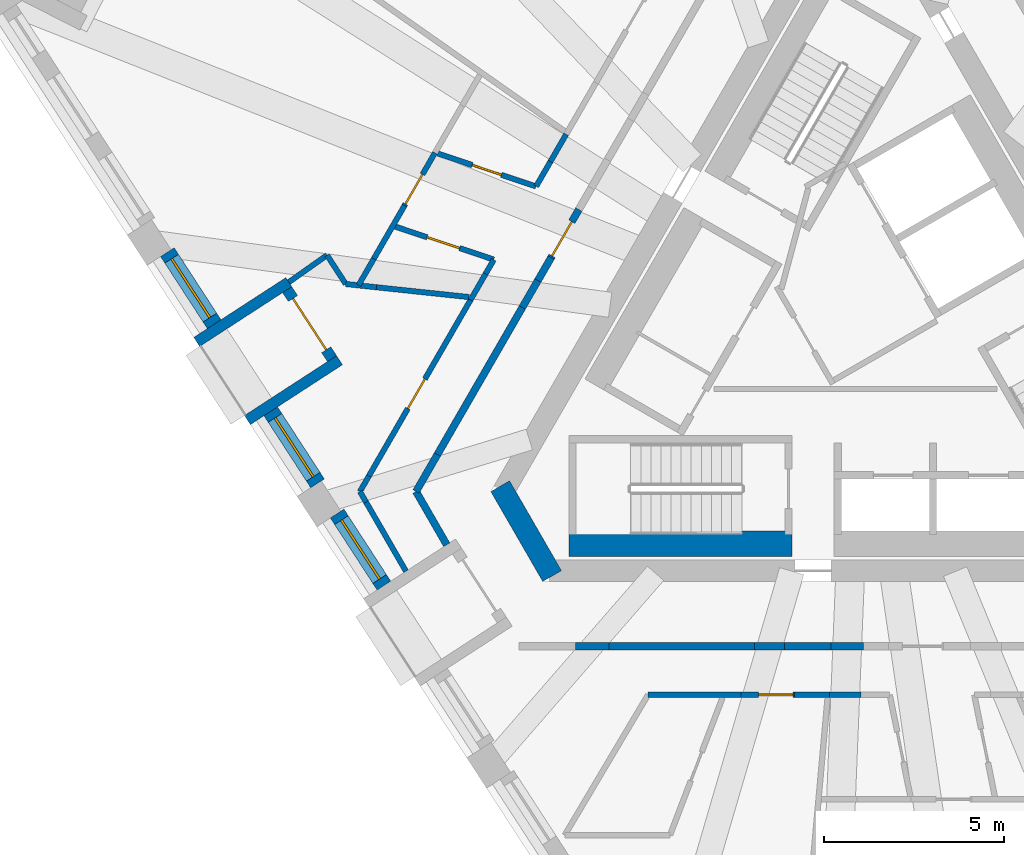
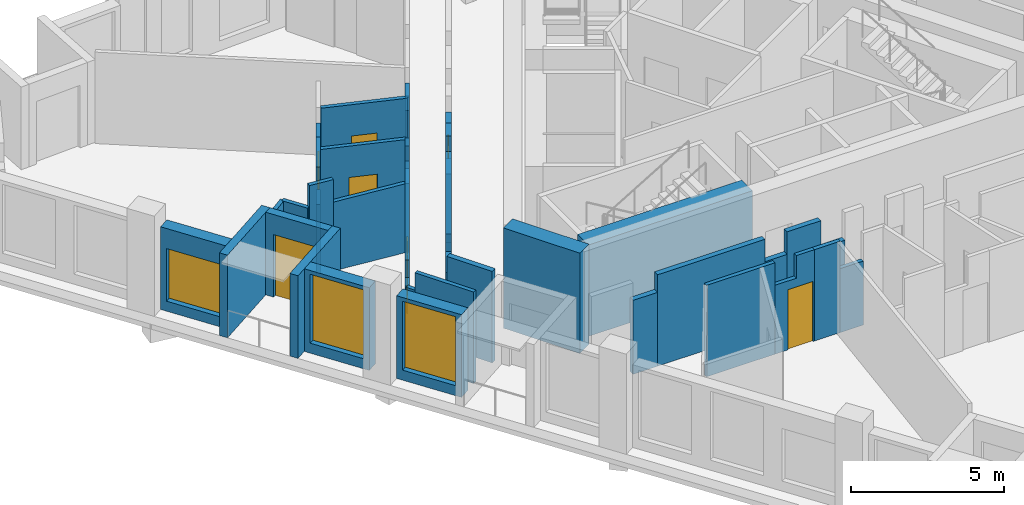
# One storey, part 3 of 13: 40 walls, 7 doors, 3 windows, 10 openings.
"""IFC4 building model written with IfcOpenShell, lengths in metres."""

import ifcopenshell
import ifcopenshell.guid

model = None  # the IFC model being written
_history = None  # IfcOwnerHistory: only IFC2X3 demands one
_inside = {}  # id of a spatial element -> (the spatial element, [elements in it])
_under = {}  # id of a project, library or spatial element -> (it, [spatial elements below it])
_declared = {}  # id of a project -> (the project, [libraries it declares])
_typed = {}  # id of a type object -> (the type object, [elements of that type])
_made_of = {}  # id of a material, layer set ... -> (it, [elements and type objects made of it])


def new_model(schema):
    """Start an empty IFC model of exactly this schema.

    Asked for "IFC4X3", IfcOpenShell would pick the latest addendum, in which some entities
    have other attributes; the version numbers below select the first issue.
    IFC2X3 requires an IfcOwnerHistory on every rooted entity: one is made here for all.
    """
    global model, _history
    if schema == "IFC4X3":
        model = ifcopenshell.file(schema_version=(4, 3, 0, 0))
    else:
        model = ifcopenshell.file(schema=schema)
    _inside.clear()
    _under.clear()
    _declared.clear()
    _typed.clear()
    _made_of.clear()
    _history = None
    if model.schema == "IFC2X3":
        org = make("IfcOrganization", Name="unknown")
        user = make(
            "IfcPersonAndOrganization",
            ThePerson=make("IfcPerson", FamilyName="unknown"),
            TheOrganization=org,
        )
        app = make(
            "IfcApplication",
            ApplicationDeveloper=org,
            Version="unknown",
            ApplicationFullName="unknown",
            ApplicationIdentifier="unknown",
        )
        _history = make(
            "IfcOwnerHistory",
            OwningUser=user,
            OwningApplication=app,
            ChangeAction="ADDED",
            CreationDate=0,
        )
    return model


def make(cls, **values):
    """One entity of the class cls with the attributes given. An attribute that is None is left unset."""
    return model.create_entity(
        cls, **{name: value for name, value in values.items() if value is not None}
    )


def rooted(cls, **values):
    """An entity with a GlobalId (a new one), such as an element, a storey or a relation."""
    return make(cls, GlobalId=ifcopenshell.guid.new(), OwnerHistory=_history, **values)


def si_unit(unit_type, name, prefix=None):
    """IfcSIUnit, for example si_unit("LENGTHUNIT", "METRE", prefix="MILLI")."""
    return make("IfcSIUnit", UnitType=unit_type, Prefix=prefix, Name=name)


def assignment(units):
    """IfcUnitAssignment: the units of a project."""
    return None if units is None else make("IfcUnitAssignment", Units=units)


def point(xyz):
    """IfcCartesianPoint."""
    return None if xyz is None else make("IfcCartesianPoint", Coordinates=xyz)


def direction(xyz):
    """IfcDirection."""
    return None if xyz is None else make("IfcDirection", DirectionRatios=xyz)


def frame(location, z_axis=None, x_axis=None):
    """IfcAxis2Placement3D, a coordinate frame: its origin and axes. An axis left out is left unset."""
    return make(
        "IfcAxis2Placement3D",
        Location=point(location),
        Axis=direction(z_axis),
        RefDirection=direction(x_axis),
    )


def frame_2d(location, x_axis=None):
    """IfcAxis2Placement2D, a coordinate frame in the plane: its origin and x axis."""
    return make(
        "IfcAxis2Placement2D", Location=point(location), RefDirection=direction(x_axis)
    )


def origin():
    """The frame at (0, 0, 0) with its axes left unset."""
    return frame((0.0, 0.0, 0.0))


def place(relative_to, where):
    """IfcLocalPlacement: puts the frame where relative to a parent placement (None: the world)."""
    return make(
        "IfcLocalPlacement", PlacementRelTo=relative_to, RelativePlacement=where
    )


def context(
    kind, dimensions, precision=None, world=None, true_north=None, identifier=None
):
    """IfcGeometricRepresentationContext, for example the 3D "Model" context."""
    return make(
        "IfcGeometricRepresentationContext",
        ContextIdentifier=identifier,
        ContextType=kind,
        CoordinateSpaceDimension=dimensions,
        Precision=precision,
        WorldCoordinateSystem=world,
        TrueNorth=true_north,
    )


def subcontext(parent, identifier, kind, view, scale=None):
    """IfcGeometricRepresentationSubContext, for example "Body" below "Model"."""
    return make(
        "IfcGeometricRepresentationSubContext",
        ContextIdentifier=identifier,
        ContextType=kind,
        ParentContext=parent,
        TargetScale=scale,
        TargetView=view,
    )


def project(units=None, contexts=None):
    """IfcProject with its units and contexts."""
    return rooted(
        "IfcProject",
        Name="project",
        RepresentationContexts=contexts,
        UnitsInContext=assignment(units),
    )


def spatial(cls, under=None, at=None, **own):
    """A site, building, storey or space (cls), placed at a placement, below another one or the project."""
    s = rooted(cls, ObjectPlacement=at, **own)
    if under is not None:
        _under.setdefault(under.id(), (under, []))[1].append(s)
    return s


def polyline(points):
    """IfcPolyline through the points."""
    return make("IfcPolyline", Points=[point(p) for p in points])


def profile(cls, at=None, kind="AREA", **sizes):
    """A parametric profile (cls). Its sizes go by their IFC names, for example OverallWidth=200.0."""
    return make(cls, ProfileType=kind, Position=at, **sizes)


def rectangle(**sizes):
    """IfcRectangleProfileDef."""
    return profile("IfcRectangleProfileDef", **sizes)


def outline(outer, holes=None, kind="AREA"):
    """IfcArbitraryClosedProfileDef: a profile drawn as a closed curve; with holes, ...WithVoids."""
    if holes is None:
        return make("IfcArbitraryClosedProfileDef", ProfileType=kind, OuterCurve=outer)
    return make(
        "IfcArbitraryProfileDefWithVoids",
        ProfileType=kind,
        OuterCurve=outer,
        InnerCurves=holes,
    )


def extrude(swept, where, along, depth):
    """IfcExtrudedAreaSolid: the profile swept, set in the frame where, extruded along a direction by depth."""
    return make(
        "IfcExtrudedAreaSolid",
        SweptArea=swept,
        Position=where,
        ExtrudedDirection=direction(along),
        Depth=depth,
    )


def shape(context_of_items, identifier, shape_type, items):
    """IfcShapeRepresentation: the items that make up one representation, for example the "Body"."""
    return make(
        "IfcShapeRepresentation",
        ContextOfItems=context_of_items,
        RepresentationIdentifier=identifier,
        RepresentationType=shape_type,
        Items=items,
    )


def material(Name=None, Category=None):
    """IfcMaterial."""
    return make("IfcMaterial", Name=Name, Category=Category)


def layer(
    of_material, thickness, ventilated=None, Name=None, Category=None, Priority=None
):
    """IfcMaterialLayer: one layer of a wall or slab, of a material (None: an air gap)."""
    return make(
        "IfcMaterialLayer",
        Material=of_material,
        LayerThickness=thickness,
        IsVentilated=ventilated,
        Name=Name,
        Category=Category,
        Priority=Priority,
    )


def layer_set(layers, Name=None):
    """IfcMaterialLayerSet."""
    return make("IfcMaterialLayerSet", MaterialLayers=layers, LayerSetName=Name)


def made_of(thing, what):
    """Note that an element or type object is made of a material, layer set ...; save() writes the relation."""
    if what is not None:
        _made_of.setdefault(what.id(), (what, []))[1].append(thing)
    return thing


def type_object(cls, material=None, **own):
    """A type object (cls), such as IfcWallType, which elements share."""
    return made_of(rooted(cls, **own), material)


def element(
    cls,
    number,
    at=None,
    inside=None,
    cuts=None,
    type_object=None,
    material=None,
    context=None,
    identifier="Body",
    shape_type=None,
    held_by="IfcProductDefinitionShape",
    body=None,
    shapes=None,
    **own,
):
    """One element of the class cls, such as IfcWall. Its Tag is "e" and its number.

    at: its placement. inside: the storey or other place that contains it. cuts: it is an
    opening in that element (IfcRelVoidsElement). A single representation is given by context,
    identifier, shape_type and body (its items); several are given by shapes. held_by: the class
    of the entity that holds the representations. save() writes the other relations.
    """
    e = rooted(cls, Tag="e%d" % number, ObjectPlacement=at, **own)
    if body is not None:
        shapes = [shape(context, identifier, shape_type, body)]
    if shapes is not None:
        e.Representation = make(held_by, Representations=shapes)
    if inside is not None:
        _inside.setdefault(inside.id(), (inside, []))[1].append(e)
    if cuts is not None:
        rooted(
            "IfcRelVoidsElement", RelatingBuildingElement=cuts, RelatedOpeningElement=e
        )
    if type_object is not None:
        _typed.setdefault(type_object.id(), (type_object, []))[1].append(e)
    return made_of(e, material)


def fill(opening, filler):
    """IfcRelFillsElement: the door or window that sits in an opening."""
    return rooted(
        "IfcRelFillsElement",
        RelatingOpeningElement=opening,
        RelatedBuildingElement=filler,
    )


def aggregate(whole, parts):
    """IfcRelAggregates: a whole, such as a stair, and the parts it consists of."""
    return rooted("IfcRelAggregates", RelatingObject=whole, RelatedObjects=parts)


def save(model, path):
    """Write the relations noted so far, then the file.

    IfcRelAggregates (storeys below a building ...), IfcRelContainedInSpatialStructure (elements
    in a storey), IfcRelDefinesByType, IfcRelAssociatesMaterial and IfcRelDeclares: one each for
    every whole, place, type object, material and project.
    """
    for whole, parts in _under.values():
        aggregate(whole, parts)
    for where, things in _inside.values():
        rooted(
            "IfcRelContainedInSpatialStructure",
            RelatedElements=things,
            RelatingStructure=where,
        )
    for kind, things in _typed.values():
        rooted("IfcRelDefinesByType", RelatedObjects=things, RelatingType=kind)
    for what, things in _made_of.values():
        rooted("IfcRelAssociatesMaterial", RelatedObjects=things, RelatingMaterial=what)
    for by, libraries in _declared.values():
        rooted("IfcRelDeclares", RelatingContext=by, RelatedDefinitions=libraries)
    model.write(path)


model = new_model("IFC4")

# Units and contexts
model_context = context("Model", 3, precision=1e-05, world=origin(), true_north=direction((0.0, 1.0)))
body_context = subcontext(model_context, "Body", "Model", "MODEL_VIEW")
ifc_project = project(units=[si_unit("LENGTHUNIT", "METRE"), si_unit("AREAUNIT", "SQUARE_METRE"), si_unit("VOLUMEUNIT", "CUBIC_METRE"), si_unit("PLANEANGLEUNIT", "RADIAN"), si_unit("MASSUNIT", "GRAM", prefix="KILO")], contexts=[model_context])

# Site, building, storey
site_placement = place(None, origin())
site = spatial("IfcSite", under=ifc_project, at=site_placement, CompositionType="ELEMENT")
building_placement = place(site_placement, origin())
building = spatial("IfcBuilding", under=site, at=building_placement, Name="Tramontana Tower", CompositionType="ELEMENT")
storey_placement = place(building_placement, frame((0.0, 0.0, 294.39990234375)))
storey = spatial("IfcBuildingStorey", under=building, at=storey_placement, Name="L69", CompositionType="ELEMENT", Elevation=294.39990234375)

# Walls
ifc_material_1 = material(Name="Concrete 70 MPa", Category="concrete")
ifc_layer_1 = layer(ifc_material_1, 0.60009765625)
ifc_layer_set_1 = layer_set([ifc_layer_1], Name="Core wall 600 70 MPa")
wall_type_1 = type_object("IfcWallType", Name="Core wall 600 70 MPa", PredefinedType="SHEAR", material=ifc_layer_set_1)
wall_1_placement = place(storey_placement, frame((-9.98828125, -4.10009765625, 0.0), z_axis=(0.0, 0.0, 1.0), x_axis=(0.499995765644, -0.866027848477, 0.0)))
element("IfcWall", 1, at=wall_1_placement, inside=storey, type_object=wall_type_1, Name="Core wall C2 L69", PredefinedType="SHEAR", context=body_context, shape_type="SweptSolid", body=[
    extrude(rectangle(XDim=2.88671875, YDim=0.60009765625, at=frame_2d((1.443359375, 0.0))), origin(), (0.0, 0.0, 1.0), 4.0),
])
ifc_material_2 = material(Name="Blockwork", Category="masonry")
ifc_layer_2 = layer(ifc_material_2, 0.199951171875)
ifc_layer_set_2 = layer_set([ifc_layer_2], Name="ENTRY WALL 200")
wall_type_2 = type_object("IfcWallType", Name="ENTRY WALL 200", PredefinedType="SOLIDWALL", material=ifc_layer_set_2)
wall_2_placement = place(storey_placement, frame((0.104248046875, -8.550048828125, 0.0), z_axis=(0.0, 0.0, 1.0), x_axis=(-1.0, 0.0, 0.0)))
element("IfcWall", 2, at=wall_2_placement, inside=storey, type_object=wall_type_2, Name="Wall v71-ew1-6", PredefinedType="SOLIDWALL", context=body_context, shape_type="SweptSolid", body=[
    extrude(rectangle(XDim=0.900634765625, YDim=0.199951171875, at=frame_2d((0.4501953125, 0.0))), origin(), (0.0, 0.0, 1.0), 2.550048828125),
])
wall_3_placement = place(storey_placement, frame((-0.79638671875, -8.550048828125, 0.0), z_axis=(0.0, 0.0, 1.0), x_axis=(-1.0, 0.0, 0.0)))
element("IfcWall", 3, at=wall_3_placement, inside=storey, type_object=wall_type_2, Name="Wall v71-ew1-7", PredefinedType="SOLIDWALL", context=body_context, shape_type="SweptSolid", body=[
    extrude(rectangle(XDim=1.2861328125, YDim=0.199951171875, at=frame_2d((0.64306640625, 0.0))), origin(), (0.0, 0.0, 1.0), 3.650146484375),
])
wall_4_placement = place(storey_placement, frame((-2.08251953125, -8.550048828125, 0.0), z_axis=(0.0, 0.0, 1.0), x_axis=(-1.0, 0.0, 0.0)))
element("IfcWall", 4, at=wall_4_placement, inside=storey, type_object=wall_type_2, Name="Wall v71-ew1-8", PredefinedType="SOLIDWALL", context=body_context, shape_type="SweptSolid", body=[
    extrude(rectangle(XDim=0.83349609375, YDim=0.199951171875, at=frame_2d((0.416748046875, 0.0))), origin(), (0.0, 0.0, 1.0), 2.75),
])
wall_5_placement = place(storey_placement, frame((-2.916015625, -8.550048828125, 0.0), z_axis=(0.0, 0.0, 1.0), x_axis=(-1.0, 0.0, 0.0)))
element("IfcWall", 5, at=wall_5_placement, inside=storey, type_object=wall_type_2, Name="Wall v71-ew1-9", PredefinedType="SOLIDWALL", context=body_context, shape_type="SweptSolid", body=[
    extrude(rectangle(XDim=4.052490234375, YDim=0.199951171875, at=frame_2d((2.0263671875, 0.0))), origin(), (0.0, 0.0, 1.0), 3.650146484375),
])
wall_6_placement = place(storey_placement, frame((-6.968505859375, -8.550048828125, 0.0), z_axis=(0.0, 0.0, 1.0), x_axis=(-1.0, 0.0, 0.0)))
element("IfcWall", 6, at=wall_6_placement, inside=storey, type_object=wall_type_2, Name="Wall v71-ew1-10", PredefinedType="SOLIDWALL", context=body_context, shape_type="SweptSolid", body=[
    extrude(rectangle(XDim=0.927490234375, YDim=0.199951171875, at=frame_2d((0.4638671875, 0.0))), origin(), (0.0, 0.0, 1.0), 2.9501953125),
])
wall_7_placement = place(storey_placement, frame((-11.472412109375, -5.729248046875, 0.0), z_axis=(0.0, 0.0, 1.0), x_axis=(-0.499982281718, 0.866035633198, 0.0)))
element("IfcWall", 7, at=wall_7_placement, inside=storey, type_object=wall_type_2, Name="Wall v71-ew2", PredefinedType="SOLIDWALL", context=body_context, shape_type="SweptSolid", body=[
    extrude(rectangle(XDim=1.7080078125, YDim=0.199951171875, at=frame_2d((0.85400390625, 0.0))), origin(), (0.0, 0.0, 1.0), 3.650146484375),
])
wall_8_placement = place(storey_placement, frame((-12.326416015625, -4.25, 0.0), z_axis=(0.0, 0.0, 1.0), x_axis=(0.499983247966, 0.86603507536, 0.0)))
element("IfcWall", 8, at=wall_8_placement, inside=storey, type_object=wall_type_2, Name="Wall v71-ew3-0", PredefinedType="SOLIDWALL", context=body_context, shape_type="SweptSolid", body=[
    extrude(rectangle(XDim=1.1884765625, YDim=0.199951171875, at=frame_2d((0.59423828125, 0.0))), origin(), (0.0, 0.0, 1.0), 2.9501953125),
])
wall_9_placement = place(storey_placement, frame((-11.732177734375, -3.220703125, 0.0), z_axis=(0.0, 0.0, 1.0), x_axis=(0.500007683529, 0.866020967652, 0.0)))
element("IfcWall", 9, at=wall_9_placement, inside=storey, type_object=wall_type_2, Name="Wall v71-ew3-1", PredefinedType="SOLIDWALL", context=body_context, shape_type="SweptSolid", body=[
    extrude(rectangle(XDim=4.71728515625, YDim=0.199951171875, at=frame_2d((2.358642578125, 0.0))), origin(), (0.0, 0.0, 1.0), 3.650146484375),
])
wall_10_placement = place(storey_placement, frame((-9.37353515625, 0.864501953125, 0.0), z_axis=(0.0, 0.0, 1.0), x_axis=(0.500056482814, 0.86599279096, 0.0)))
element("IfcWall", 10, at=wall_10_placement, inside=storey, type_object=wall_type_2, Name="Wall v71-ew3-2", PredefinedType="SOLIDWALL", context=body_context, shape_type="SweptSolid", body=[
    extrude(rectangle(XDim=0.86474609375, YDim=0.199951171875, at=frame_2d((0.432373046875, 0.0))), origin(), (0.0, 0.0, 1.0), 2.75),
])
wall_11_placement = place(storey_placement, frame((-8.941162109375, 1.61328125, 0.0), z_axis=(0.0, 0.0, 1.0), x_axis=(0.499875190247, 0.866097450739, 0.0)))
element("IfcWall", 11, at=wall_11_placement, inside=storey, type_object=wall_type_2, Name="Wall v71-ew3-3", PredefinedType="SOLIDWALL", context=body_context, shape_type="SweptSolid", body=[
    extrude(rectangle(XDim=0.738037109375, YDim=0.199951171875, at=frame_2d((0.369140625, 0.0))), origin(), (0.0, 0.0, 1.0), 3.650146484375),
])

# Wall, opening, door
wall_12_placement = place(storey_placement, frame((-8.572265625, 2.25244140625, 0.0), z_axis=(0.0, 0.0, 1.0), x_axis=(0.499992328818, 0.866029832698, 0.0)))
wall_12 = element("IfcWall", 12, at=wall_12_placement, inside=storey, type_object=wall_type_2, Name="Wall v71-ew3-4", PredefinedType="SOLIDWALL", context=body_context, shape_type="SweptSolid", body=[
    extrude(outline(polyline([(0.0, 0.0), (1.5400390625, 0.0), (1.5400390625, 2.550048828125), (0.63037109375, 2.550048828125), (0.63037109375, 3.650146484375), (0.0, 3.650146484375), (0.0, 0.0)])), frame((0.0, 0.10009765625, 0.0), z_axis=(0.0, -1.0, 0.0), x_axis=(1.0, 0.0, 0.0)), (0.0, 0.0, 1.0), 0.199951171875),
])
opening_1_placement = place(wall_12_placement, frame((0.050048828125, 0.0, 0.0)))
opening_1 = element("IfcOpeningElement", 13, at=opening_1_placement, cuts=wall_12, Name="Opening B7B-20", PredefinedType="OPENING", context=body_context, shape_type="SweptSolid", body=[
    extrude(rectangle(XDim=1.10009765625, YDim=2.39990234375, at=frame_2d((0.550048828125, 1.199951171875))), frame((0.0, 0.10986328125, 0.0), z_axis=(0.0, -1.0, 0.0), x_axis=(1.0, 0.0, 0.0)), (0.0, 0.0, 1.0), 0.219970703125),
])
ifc_material_3 = material(Name="Painted timber", Category="wood")
door_type_1 = type_object("IfcDoorType", Name="DOOR ENTRY 1100", OperationType="SINGLE_SWING_LEFT", PredefinedType="DOOR", material=ifc_material_3)
door_1_placement = place(opening_1_placement, origin())
door_1 = element("IfcDoor", 14, at=door_1_placement, inside=storey, type_object=door_type_1, Name="Door B7B-20", OperationType="SINGLE_SWING_RIGHT", OverallHeight=2.39990234375, OverallWidth=1.10009765625, PredefinedType="DOOR", context=body_context, shape_type="SweptSolid", body=[
    extrude(rectangle(XDim=1.10009765625, YDim=2.39990234375, at=frame_2d((0.550048828125, 1.199951171875))), frame((0.0, 0.02490234375, 0.0), z_axis=(0.0, -1.0, 0.0), x_axis=(1.0, 0.0, 0.0)), (0.0, 0.0, 1.0), 0.050048828125),
])
fill(opening_1, door_1)

# Wall, opening, window
ifc_material_4 = material(Name="Precast concrete 60 MPa", Category="concrete")
ifc_layer_3 = layer(ifc_material_4, 0.449951171875)
ifc_layer_set_3 = layer_set([ifc_layer_3], Name="Precast concrete 60 MPa, 450 mm")
wall_type_3 = type_object("IfcWallType", Name="EW1 Stone-faced precast wall 450", PredefinedType="SOLIDWALL", material=ifc_layer_set_3)
wall_13_placement = place(storey_placement, frame((-19.236083984375, 2.401123046875, 0.0), z_axis=(0.0, 0.0, 1.0), x_axis=(0.544675520966, -0.838646872563, 0.0)))
wall_13 = element("IfcWall", 15, at=wall_13_placement, inside=storey, type_object=wall_type_3, Name="External wall L69 face 0 bay 2", PredefinedType="SOLIDWALL", context=body_context, shape_type="SweptSolid", body=[
    extrude(rectangle(XDim=2.38671875, YDim=0.449951171875, at=frame_2d((1.193359375, 0.0))), origin(), (0.0, 0.0, 1.0), 3.300048828125),
])
opening_2_placement = place(wall_13_placement, frame((0.21826171875, 0.0, 0.39990234375)))
opening_2 = element("IfcOpeningElement", 16, at=opening_2_placement, cuts=wall_13, Name="Opening M3L", PredefinedType="OPENING", context=body_context, shape_type="SweptSolid", body=[
    extrude(rectangle(XDim=1.949951171875, YDim=2.10009765625, at=frame_2d((0.97509765625, 1.050048828125))), frame((0.0, 0.23486328125, 0.0), z_axis=(0.0, -1.0, 0.0), x_axis=(1.0, 0.0, 0.0)), (0.0, 0.0, 1.0), 0.469970703125),
])
ifc_material_5 = material(Name="Aluminum frame, double glazing unit", Category="aluminium")
window_type_1 = type_object("IfcWindowType", Name="M3L Window 1.95 x 2.1", PartitioningType="SINGLE_PANEL", PredefinedType="WINDOW", material=ifc_material_5)
window_1_placement = place(opening_2_placement, origin())
window_1 = element("IfcWindow", 17, at=window_1_placement, inside=storey, type_object=window_type_1, Name="Window M3L L69 face 0 module 4", OverallHeight=2.10009765625, OverallWidth=1.949951171875, PartitioningType="SINGLE_PANEL", PredefinedType="WINDOW", context=body_context, shape_type="SweptSolid", body=[
    extrude(rectangle(XDim=1.949951171875, YDim=2.10009765625, at=frame_2d((0.97509765625, 1.050048828125))), frame((0.0, 0.030029296875, 0.0), z_axis=(0.0, -1.0, 0.0), x_axis=(1.0, 0.0, 0.0)), (0.0, 0.0, 1.0), 0.06005859375),
])
fill(opening_2, window_1)

wall_14_placement = place(storey_placement, frame((-16.36376953125, -2.021728515625, 0.0), z_axis=(0.0, 0.0, 1.0), x_axis=(0.544603573947, -0.838693595566, 0.0)))
wall_14 = element("IfcWall", 18, at=wall_14_placement, inside=storey, type_object=wall_type_3, Name="External wall L69 face 0 bay 2", PredefinedType="SOLIDWALL", context=body_context, shape_type="SweptSolid", body=[
    extrude(rectangle(XDim=2.38671875, YDim=0.449951171875, at=frame_2d((1.193359375, 0.0))), origin(), (0.0, 0.0, 1.0), 3.300048828125),
])
opening_3_placement = place(wall_14_placement, frame((0.21826171875, 0.0, 0.39990234375)))
opening_3 = element("IfcOpeningElement", 19, at=opening_3_placement, cuts=wall_14, Name="Opening M3", PredefinedType="OPENING", context=body_context, shape_type="SweptSolid", body=[
    extrude(rectangle(XDim=1.949951171875, YDim=2.75, at=frame_2d((0.97509765625, 1.375))), frame((0.0, 0.23486328125, 0.0), z_axis=(0.0, -1.0, 0.0), x_axis=(1.0, 0.0, 0.0)), (0.0, 0.0, 1.0), 0.469970703125),
])
ifc_material_6 = material(Name="Aluminum frame, double glazing unit", Category="aluminium")
window_type_2 = type_object("IfcWindowType", Name="M3 Window 1.95 x 2.75", PartitioningType="SINGLE_PANEL", PredefinedType="WINDOW", material=ifc_material_6)
window_2_placement = place(opening_3_placement, origin())
window_2 = element("IfcWindow", 20, at=window_2_placement, inside=storey, type_object=window_type_2, Name="Window M3 L69 face 0 module 6", OverallHeight=2.75, OverallWidth=1.949951171875, PartitioningType="SINGLE_PANEL", PredefinedType="WINDOW", context=body_context, shape_type="SweptSolid", body=[
    extrude(rectangle(XDim=1.949951171875, YDim=2.75, at=frame_2d((0.97509765625, 1.375))), frame((0.0, 0.030029296875, 0.0), z_axis=(0.0, -1.0, 0.0), x_axis=(1.0, 0.0, 0.0)), (0.0, 0.0, 1.0), 0.06005859375),
])
fill(opening_3, window_2)

wall_15_placement = place(storey_placement, frame((-14.519287109375, -4.862060546875, 0.0), z_axis=(0.0, 0.0, 1.0), x_axis=(0.544603573947, -0.838693595566, 0.0)))
wall_15 = element("IfcWall", 21, at=wall_15_placement, inside=storey, type_object=wall_type_3, Name="External wall L69 face 0 bay 3", PredefinedType="SOLIDWALL", context=body_context, shape_type="SweptSolid", body=[
    extrude(rectangle(XDim=2.38671875, YDim=0.449951171875, at=frame_2d((1.193359375, 0.0))), origin(), (0.0, 0.0, 1.0), 3.300048828125),
])
opening_4_placement = place(wall_15_placement, frame((0.21826171875, 0.0, 0.39990234375)))
opening_4 = element("IfcOpeningElement", 22, at=opening_4_placement, cuts=wall_15, Name="Opening M3", PredefinedType="OPENING", context=body_context, shape_type="SweptSolid", body=[
    extrude(rectangle(XDim=1.949951171875, YDim=2.75, at=frame_2d((0.97509765625, 1.375))), frame((0.0, 0.23486328125, 0.0), z_axis=(0.0, -1.0, 0.0), x_axis=(1.0, 0.0, 0.0)), (0.0, 0.0, 1.0), 0.469970703125),
])
window_3_placement = place(opening_4_placement, origin())
window_3 = element("IfcWindow", 23, at=window_3_placement, inside=storey, type_object=window_type_2, Name="Window M3 L69 face 0 module 7", OverallHeight=2.75, OverallWidth=1.949951171875, PartitioningType="SINGLE_PANEL", PredefinedType="WINDOW", context=body_context, shape_type="SweptSolid", body=[
    extrude(rectangle(XDim=1.949951171875, YDim=2.75, at=frame_2d((0.97509765625, 1.375))), frame((0.0, 0.030029296875, 0.0), z_axis=(0.0, -1.0, 0.0), x_axis=(1.0, 0.0, 0.0)), (0.0, 0.0, 1.0), 0.06005859375),
])
fill(opening_4, window_3)

# Wall, opening, door
ifc_material_7 = material(Name="Precast concrete 60 MPa", Category="concrete")
ifc_layer_4 = layer(ifc_material_7, 0.300048828125)
ifc_layer_set_4 = layer_set([ifc_layer_4], Name="LW1 Stone-faced loggia wall 300")
wall_type_4 = type_object("IfcWallType", Name="LW1 Stone-faced loggia wall 300", PredefinedType="SOLIDWALL", material=ifc_layer_set_4)
wall_16_placement = place(storey_placement, frame((-15.90673828125, 1.359619140625, 0.0), z_axis=(0.0, 0.0, 1.0), x_axis=(0.544658103125, -0.838658184662, 0.0)))
wall_16 = element("IfcWall", 24, at=wall_16_placement, inside=storey, type_object=wall_type_4, Name="Loggia wall L69 G7S0.4", PredefinedType="SOLIDWALL", context=body_context, shape_type="SweptSolid", body=[
    extrude(rectangle(XDim=2.286865234375, YDim=0.300048828125, at=frame_2d((1.1435546875, 0.0))), origin(), (0.0, 0.0, 1.0), 3.300048828125),
])
opening_5_placement = place(wall_16_placement, frame((0.29345703125, 0.0, 0.0)))
opening_5 = element("IfcOpeningElement", 25, at=opening_5_placement, cuts=wall_16, Name="Opening BD-7S0-04", PredefinedType="OPENING", context=body_context, shape_type="SweptSolid", body=[
    extrude(rectangle(XDim=1.699951171875, YDim=2.5, at=frame_2d((0.85009765625, 1.25))), frame((0.0, 0.159912109375, 0.0), z_axis=(0.0, -1.0, 0.0), x_axis=(1.0, 0.0, 0.0)), (0.0, 0.0, 1.0), 0.320068359375),
])
ifc_material_8 = material(Name="Aluminum frame, double glazing unit", Category="aluminium")
door_type_2 = type_object("IfcDoorType", Name="BD3 Sliding door 1.7 x 2.5", OperationType="SLIDING_TO_LEFT", PredefinedType="DOOR", material=ifc_material_8)
door_2_placement = place(opening_5_placement, origin())
door_2 = element("IfcDoor", 26, at=door_2_placement, inside=storey, type_object=door_type_2, Name="Loggia door L69 G7S0.4", OperationType="SLIDING_TO_LEFT", OverallHeight=2.5, OverallWidth=1.699951171875, PredefinedType="DOOR", context=body_context, shape_type="SweptSolid", body=[
    extrude(rectangle(XDim=1.699951171875, YDim=2.5, at=frame_2d((0.85009765625, 1.25))), frame((0.0, 0.02490234375, 0.0), z_axis=(0.0, -1.0, 0.0), x_axis=(1.0, 0.0, 0.0)), (0.0, 0.0, 1.0), 0.050048828125),
])
fill(opening_5, door_2)

# Walls
for number, where, z_axis, x_axis, name in (
    (27, (-18.42041015625, -0.093994140625, 0.0), (0.0, 0.0, 1.0), (0.838664840319, 0.544647854685, 0.0), "Loggia return L69 G7S0.4a"),
    (28, (-17.01171875, -2.263427734375, 0.0), (0.0, 0.0, 1.0), (0.838664840319, 0.544647854685, 0.0), "Loggia return L69 G7S0.4b"),
):
    element("IfcWall", number, at=place(storey_placement, frame(where, z_axis=z_axis, x_axis=x_axis)), inside=storey, type_object=wall_type_4, Name=name, PredefinedType="SOLIDWALL", context=body_context, shape_type="SweptSolid", body=[
        extrude(rectangle(XDim=3.0498046875, YDim=0.300048828125, at=frame_2d((1.52490234375, 0.0))), origin(), (0.0, 0.0, 1.0), 3.300048828125),
    ])
ifc_material_9 = material(Name="Gypsum board partition")
ifc_layer_5 = layer(ifc_material_9, 0.14990234375)
ifc_layer_set_5 = layer_set([ifc_layer_5], Name="PARTITION 150")
wall_type_5 = type_object("IfcWallType", Name="PARTITION 150", PredefinedType="PARTITIONING", material=ifc_layer_set_5)
wall_17_placement = place(storey_placement, frame((-14.80126953125, 2.316162109375, 0.0), z_axis=(0.0, 0.0, 1.0), x_axis=(-0.817009530875, -0.576624163958, 0.0)))
element("IfcWall", 29, at=wall_17_placement, inside=storey, type_object=wall_type_5, Name="Wall v71-pw02-0", PredefinedType="PARTITIONING", context=body_context, shape_type="SweptSolid", body=[
    extrude(rectangle(XDim=1.299072265625, YDim=0.14990234375, at=frame_2d((0.6494140625, 0.0))), origin(), (0.0, 0.0, 1.0), 2.75),
])
wall_18_placement = place(storey_placement, frame((-14.279296875, 1.51611328125, 0.0), z_axis=(0.0, 0.0, 1.0), x_axis=(-0.5444931366, 0.838765297444, 0.0)))
element("IfcWall", 30, at=wall_18_placement, inside=storey, type_object=wall_type_5, Name="Wall v71-pw03-0", PredefinedType="PARTITIONING", context=body_context, shape_type="SweptSolid", body=[
    extrude(rectangle(XDim=0.953369140625, YDim=0.14990234375, at=frame_2d((0.4765625, 0.0))), origin(), (0.0, 0.0, 1.0), 2.75),
])
wall_19_placement = place(storey_placement, frame((-13.9248046875, 1.4814453125, 0.0), z_axis=(0.0, 0.0, 1.0), x_axis=(0.499846793097, 0.866113839764, 0.0)))
element("IfcWall", 31, at=wall_19_placement, inside=storey, type_object=wall_type_5, Name="Wall v71-pw04-0", PredefinedType="PARTITIONING", context=body_context, shape_type="SweptSolid", body=[
    extrude(rectangle(XDim=0.849853515625, YDim=0.14990234375, at=frame_2d((0.4248046875, 0.0))), origin(), (0.0, 0.0, 1.0), 2.75),
])
wall_20_placement = place(storey_placement, frame((-13.5, 2.217529296875, 0.0), z_axis=(0.0, 0.0, 1.0), x_axis=(0.500015459501, 0.866016478054, 0.0)))
element("IfcWall", 32, at=wall_20_placement, inside=storey, type_object=wall_type_5, Name="Wall v71-pw04-1", PredefinedType="PARTITIONING", context=body_context, shape_type="SweptSolid", body=[
    extrude(rectangle(XDim=1.70703125, YDim=0.14990234375, at=frame_2d((0.853515625, 0.0))), origin(), (0.0, 0.0, 1.0), 3.650146484375),
])

# Wall, opening, door
wall_21_placement = place(storey_placement, frame((-12.646484375, 3.69580078125, 0.0), z_axis=(0.0, 0.0, 1.0), x_axis=(0.500046963369, 0.865998287773, 0.0)))
wall_21 = element("IfcWall", 33, at=wall_21_placement, inside=storey, type_object=wall_type_5, Name="Wall v71-pw04-2", PredefinedType="PARTITIONING", context=body_context, shape_type="SweptSolid", body=[
    extrude(outline(polyline([(0.0, 0.0), (1.693115234375, 0.0), (1.693359375, 2.550048828125), (0.80908203125, 2.550048828125), (0.80908203125, 3.650146484375), (0.0, 3.650146484375), (0.0, 0.0)])), frame((0.0, 0.074951171875, 0.0), z_axis=(0.0, -1.0, 0.0), x_axis=(1.0, 0.0, 0.0)), (0.0, 0.0, 1.0), 0.14990234375),
])
opening_6_placement = place(wall_21_placement, frame((0.050048828125, 0.0, 0.0)))
opening_6 = element("IfcOpeningElement", 34, at=opening_6_placement, cuts=wall_21, Name="Opening B7B-03", PredefinedType="OPENING", context=body_context, shape_type="SweptSolid", body=[
    extrude(rectangle(XDim=0.949951171875, YDim=2.39990234375, at=frame_2d((0.47509765625, 1.199951171875))), frame((0.0, 0.0849609375, 0.0), z_axis=(0.0, -1.0, 0.0), x_axis=(1.0, 0.0, 0.0)), (0.0, 0.0, 1.0), 0.169921875),
])
ifc_material_10 = material(Name="Painted timber", Category="wood")
door_type_3 = type_object("IfcDoorType", Name="DOOR ROOM 950", OperationType="SINGLE_SWING_LEFT", PredefinedType="DOOR", material=ifc_material_10)
door_3_placement = place(opening_6_placement, origin())
door_3 = element("IfcDoor", 35, at=door_3_placement, inside=storey, type_object=door_type_3, Name="Door B7B-03", OperationType="SINGLE_SWING_LEFT", OverallHeight=2.39990234375, OverallWidth=0.949951171875, PredefinedType="DOOR", context=body_context, shape_type="SweptSolid", body=[
    extrude(rectangle(XDim=0.949951171875, YDim=2.39990234375, at=frame_2d((0.47509765625, 1.199951171875))), frame((0.0, 0.02490234375, 0.0), z_axis=(0.0, -1.0, 0.0), x_axis=(1.0, 0.0, 0.0)), (0.0, 0.0, 1.0), 0.050048828125),
])
fill(opening_6, door_3)

# Wall
wall_22_placement = place(storey_placement, frame((-13.88525390625, -4.25, 0.0), z_axis=(0.0, 0.0, 1.0), x_axis=(0.499904868165, 0.866080321209, 0.0)))
element("IfcWall", 36, at=wall_22_placement, inside=storey, type_object=wall_type_5, Name="Wall v71-pw05-0", PredefinedType="PARTITIONING", context=body_context, shape_type="SweptSolid", body=[
    extrude(rectangle(XDim=0.501953125, YDim=0.14990234375, at=frame_2d((0.2509765625, 0.0))), origin(), (0.0, 0.0, 1.0), 2.9501953125),
])

# Wall, opening, door
wall_23_placement = place(storey_placement, frame((-13.63427734375, -3.815185546875, 0.0), z_axis=(0.0, 0.0, 1.0), x_axis=(0.500005829693, 0.866022037983, 0.0)))
wall_23 = element("IfcWall", 37, at=wall_23_placement, inside=storey, type_object=wall_type_5, Name="Wall v71-pw05-1", PredefinedType="PARTITIONING", context=body_context, shape_type="SweptSolid", body=[
    extrude(rectangle(XDim=5.64306640625, YDim=0.14990234375, at=frame_2d((2.821533203125, 0.0))), origin(), (0.0, 0.0, 1.0), 3.650146484375),
])
opening_7_placement = place(wall_23_placement, frame((2.158447265625, 0.0, 0.0)))
opening_7 = element("IfcOpeningElement", 38, at=opening_7_placement, cuts=wall_23, Name="Opening B7B-05", PredefinedType="OPENING", context=body_context, shape_type="SweptSolid", body=[
    extrude(rectangle(XDim=0.949951171875, YDim=2.39990234375, at=frame_2d((0.47509765625, 1.199951171875))), frame((0.0, 0.0849609375, 0.0), z_axis=(0.0, -1.0, 0.0), x_axis=(1.0, 0.0, 0.0)), (0.0, 0.0, 1.0), 0.169921875),
])
door_4_placement = place(opening_7_placement, origin())
door_4 = element("IfcDoor", 39, at=door_4_placement, inside=storey, type_object=door_type_3, Name="Door B7B-05", OperationType="SINGLE_SWING_LEFT", OverallHeight=2.39990234375, OverallWidth=0.949951171875, PredefinedType="DOOR", context=body_context, shape_type="SweptSolid", body=[
    extrude(rectangle(XDim=0.949951171875, YDim=2.39990234375, at=frame_2d((0.47509765625, 1.199951171875))), frame((0.0, 0.02490234375, 0.0), z_axis=(0.0, -1.0, 0.0), x_axis=(1.0, 0.0, 0.0)), (0.0, 0.0, 1.0), 0.050048828125),
])
fill(opening_7, door_4)

# Walls
wall_24_placement = place(storey_placement, frame((-10.812744140625, 1.07177734375, 0.0), z_axis=(0.0, 0.0, 1.0), x_axis=(0.500025132165, 0.866010893236, 0.0)))
element("IfcWall", 40, at=wall_24_placement, inside=storey, type_object=wall_type_5, Name="Wall v71-pw05-2", PredefinedType="PARTITIONING", context=body_context, shape_type="SweptSolid", body=[
    extrude(rectangle(XDim=0.837890625, YDim=0.14990234375, at=frame_2d((0.4189453125, 0.0))), origin(), (0.0, 0.0, 1.0), 2.75),
])
wall_25_placement = place(storey_placement, frame((-10.393798828125, 1.79736328125, 0.0), z_axis=(0.0, 0.0, 1.0), x_axis=(0.499909183523, 0.866077830353, 0.0)))
element("IfcWall", 41, at=wall_25_placement, inside=storey, type_object=wall_type_5, Name="Wall v71-pw05-3", PredefinedType="PARTITIONING", context=body_context, shape_type="SweptSolid", body=[
    extrude(rectangle(XDim=0.45263671875, YDim=0.14990234375, at=frame_2d((0.226318359375, 0.0))), origin(), (0.0, 0.0, 1.0), 3.650146484375),
])
wall_26_placement = place(storey_placement, frame((-12.606201171875, -6.46533203125, 0.0), z_axis=(0.0, 0.0, 1.0), x_axis=(-0.500024353964, 0.86601134256, 0.0)))
element("IfcWall", 42, at=wall_26_placement, inside=storey, type_object=wall_type_5, Name="Wall v71-pw06-0", PredefinedType="PARTITIONING", context=body_context, shape_type="SweptSolid", body=[
    extrude(rectangle(XDim=2.216796875, YDim=0.14990234375, at=frame_2d((1.1083984375, 0.0))), origin(), (0.0, 0.0, 1.0), 3.650146484375),
])
wall_27_placement = place(storey_placement, frame((-13.714599609375, -4.545654296875, 0.0), z_axis=(0.0, 0.0, 1.0), x_axis=(-0.499908181442, 0.866078408764, 0.0)))
element("IfcWall", 43, at=wall_27_placement, inside=storey, type_object=wall_type_5, Name="Wall v71-pw06-1", PredefinedType="PARTITIONING", context=body_context, shape_type="SweptSolid", body=[
    extrude(rectangle(XDim=0.34130859375, YDim=0.14990234375, at=frame_2d((0.170654296875, 0.0))), origin(), (0.0, 0.0, 1.0), 2.9501953125),
])

# Wall, opening, door
wall_28_placement = place(storey_placement, frame((-11.724609375, 5.14208984375, 0.0), z_axis=(0.0, 0.0, 1.0), x_axis=(0.948156269948, -0.317804480394, 0.0)))
wall_28 = element("IfcWall", 44, at=wall_28_placement, inside=storey, type_object=wall_type_5, Name="Wall v71-pw07", PredefinedType="PARTITIONING", context=body_context, shape_type="SweptSolid", body=[
    extrude(rectangle(XDim=2.879150390625, YDim=0.14990234375, at=frame_2d((1.439453125, 0.0))), origin(), (0.0, 0.0, 1.0), 3.650146484375),
])
opening_8_placement = place(wall_28_placement, frame((1.0146484375, 0.0, 0.0)))
opening_8 = element("IfcOpeningElement", 45, at=opening_8_placement, cuts=wall_28, Name="Opening B7B-02", PredefinedType="OPENING", context=body_context, shape_type="SweptSolid", body=[
    extrude(rectangle(XDim=0.85009765625, YDim=2.39990234375, at=frame_2d((0.425048828125, 1.199951171875))), frame((0.0, 0.0849609375, 0.0), z_axis=(0.0, -1.0, 0.0), x_axis=(1.0, 0.0, 0.0)), (0.0, 0.0, 1.0), 0.169921875),
])
ifc_material_11 = material(Name="Painted timber", Category="wood")
door_type_4 = type_object("IfcDoorType", Name="DOOR BATH 850", OperationType="SINGLE_SWING_LEFT", PredefinedType="DOOR", material=ifc_material_11)
door_5_placement = place(opening_8_placement, origin())
door_5 = element("IfcDoor", 46, at=door_5_placement, inside=storey, type_object=door_type_4, Name="Door B7B-02", OperationType="SINGLE_SWING_RIGHT", OverallHeight=2.39990234375, OverallWidth=0.85009765625, PredefinedType="DOOR", context=body_context, shape_type="SweptSolid", body=[
    extrude(rectangle(XDim=0.85009765625, YDim=2.39990234375, at=frame_2d((0.425048828125, 1.199951171875))), frame((0.0, 0.02490234375, 0.0), z_axis=(0.0, -1.0, 0.0), x_axis=(1.0, 0.0, 0.0)), (0.0, 0.0, 1.0), 0.050048828125),
])
fill(opening_8, door_5)

# Walls
wall_29_placement = place(storey_placement, frame((-10.852783203125, 1.15234375, 0.0), z_axis=(0.0, 0.0, 1.0), x_axis=(-0.99441673879, 0.105524166022, 0.0)))
element("IfcWall", 47, at=wall_29_placement, inside=storey, type_object=wall_type_5, Name="Wall v71-pw08-0", PredefinedType="PARTITIONING", context=body_context, shape_type="SweptSolid", body=[
    extrude(rectangle(XDim=2.5888671875, YDim=0.14990234375, at=frame_2d((1.29443359375, 0.0))), origin(), (0.0, 0.0, 1.0), 2.75),
])
wall_30_placement = place(storey_placement, frame((-13.42724609375, 1.425537109375, 0.0), z_axis=(0.0, 0.0, 1.0), x_axis=(-0.994394015125, 0.1057380853, 0.0)))
element("IfcWall", 48, at=wall_30_placement, inside=storey, type_object=wall_type_5, Name="Wall v71-pw08-1", PredefinedType="PARTITIONING", context=body_context, shape_type="SweptSolid", body=[
    extrude(rectangle(XDim=0.856689453125, YDim=0.14990234375, at=frame_2d((0.42822265625, 0.0))), origin(), (0.0, 0.0, 1.0), 3.650146484375),
])

# Wall, opening, door
wall_31_placement = place(storey_placement, frame((-10.169677734375, 2.1953125, 0.0), z_axis=(0.0, 0.0, 1.0), x_axis=(-0.948169123767, 0.317766128993, 0.0)))
wall_31 = element("IfcWall", 49, at=wall_31_placement, inside=storey, type_object=wall_type_5, Name="Wall v71-pw09", PredefinedType="PARTITIONING", context=body_context, shape_type="SweptSolid", body=[
    extrude(rectangle(XDim=2.951171875, YDim=0.14990234375, at=frame_2d((1.4755859375, 0.0))), origin(), (0.0, 0.0, 1.0), 3.650146484375),
])
opening_9_placement = place(wall_31_placement, frame((1.00048828125, 0.0, 0.0)))
opening_9 = element("IfcOpeningElement", 50, at=opening_9_placement, cuts=wall_31, Name="Opening B7B-01", PredefinedType="OPENING", context=body_context, shape_type="SweptSolid", body=[
    extrude(rectangle(XDim=0.949951171875, YDim=2.39990234375, at=frame_2d((0.47509765625, 1.199951171875))), frame((0.0, 0.0849609375, 0.0), z_axis=(0.0, -1.0, 0.0), x_axis=(1.0, 0.0, 0.0)), (0.0, 0.0, 1.0), 0.169921875),
])
door_6_placement = place(opening_9_placement, origin())
door_6 = element("IfcDoor", 51, at=door_6_placement, inside=storey, type_object=door_type_3, Name="Door B7B-01", OperationType="SINGLE_SWING_LEFT", OverallHeight=2.39990234375, OverallWidth=0.949951171875, PredefinedType="DOOR", context=body_context, shape_type="SweptSolid", body=[
    extrude(rectangle(XDim=0.949951171875, YDim=2.39990234375, at=frame_2d((0.47509765625, 1.199951171875))), frame((0.0, 0.02490234375, 0.0), z_axis=(0.0, -1.0, 0.0), x_axis=(1.0, 0.0, 0.0)), (0.0, 0.0, 1.0), 0.050048828125),
])
fill(opening_9, door_6)

# Walls
wall_32_placement = place(storey_placement, frame((-8.989990234375, 4.22900390625, 0.0), z_axis=(0.0, 0.0, 1.0), x_axis=(0.500067892261, 0.865986202621, 0.0)))
element("IfcWall", 52, at=wall_32_placement, inside=storey, type_object=wall_type_5, Name="Wall v71-pw10-0", PredefinedType="PARTITIONING", context=body_context, shape_type="SweptSolid", body=[
    extrude(rectangle(XDim=0.79541015625, YDim=0.14990234375, at=frame_2d((0.397705078125, 0.0))), origin(), (0.0, 0.0, 1.0), 3.650146484375),
])
wall_33_placement = place(storey_placement, frame((-8.59228515625, 4.917724609375, 0.0), z_axis=(0.0, 0.0, 1.0), x_axis=(0.500036104519, 0.866004557827, 0.0)))
element("IfcWall", 53, at=wall_33_placement, inside=storey, type_object=wall_type_5, Name="Wall v71-pw10-1", PredefinedType="PARTITIONING", context=body_context, shape_type="SweptSolid", body=[
    extrude(rectangle(XDim=0.8759765625, YDim=0.14990234375, at=frame_2d((0.43798828125, 0.0))), origin(), (0.0, 0.0, 1.0), 2.550048828125),
])
wall_34_placement = place(storey_placement, frame((0.037109375, -9.89990234375, 0.0), z_axis=(0.0, 0.0, 1.0), x_axis=(-1.0, 0.0, 0.0)))
element("IfcWall", 54, at=wall_34_placement, inside=storey, type_object=wall_type_5, Name="Wall v71-pw21-1", PredefinedType="PARTITIONING", context=body_context, shape_type="SweptSolid", body=[
    extrude(rectangle(XDim=0.875732421875, YDim=0.14990234375, at=frame_2d((0.43798828125, 0.0))), origin(), (0.0, 0.0, 1.0), 2.550048828125),
])
wall_35_placement = place(storey_placement, frame((-0.838623046875, -9.89990234375, 0.0), z_axis=(0.0, 0.0, 1.0), x_axis=(-1.0, 0.0, 0.0)))
element("IfcWall", 55, at=wall_35_placement, inside=storey, type_object=wall_type_5, Name="Wall v71-pw21-2", PredefinedType="PARTITIONING", context=body_context, shape_type="SweptSolid", body=[
    extrude(rectangle(XDim=0.96875, YDim=0.14990234375, at=frame_2d((0.484375, 0.0))), origin(), (0.0, 0.0, 1.0), 3.650146484375),
])

# Wall, opening, door
wall_36_placement = place(storey_placement, frame((-1.807373046875, -9.89990234375, 0.0), z_axis=(0.0, 0.0, 1.0), x_axis=(-1.0, 0.0, 0.0)))
wall_36 = element("IfcWall", 56, at=wall_36_placement, inside=storey, type_object=wall_type_5, Name="Wall v71-pw21-3", PredefinedType="PARTITIONING", context=body_context, shape_type="SweptSolid", body=[
    extrude(outline(polyline([(0.0, 0.0), (1.490234375, 0.0), (1.490234375, 2.75), (0.682861328125, 2.75), (0.682861328125, 3.650146484375), (0.0, 3.650146484375), (0.0, 0.0)])), frame((0.0, 0.074951171875, 0.0), z_axis=(0.0, -1.0, 0.0), x_axis=(1.0, 0.0, 0.0)), (0.0, 0.0, 1.0), 0.14990234375),
])
opening_10_placement = place(wall_36_placement, frame((0.050048828125, 0.0, 0.0)))
opening_10 = element("IfcOpeningElement", 57, at=opening_10_placement, cuts=wall_36, Name="Opening B7B-10", PredefinedType="OPENING", context=body_context, shape_type="SweptSolid", body=[
    extrude(rectangle(XDim=0.949951171875, YDim=2.39990234375, at=frame_2d((0.47509765625, 1.199951171875))), frame((0.0, 0.0849609375, 0.0), z_axis=(0.0, -1.0, 0.0), x_axis=(1.0, 0.0, 0.0)), (0.0, 0.0, 1.0), 0.169921875),
])
door_7_placement = place(opening_10_placement, origin())
door_7 = element("IfcDoor", 58, at=door_7_placement, inside=storey, type_object=door_type_3, Name="Door B7B-10", OperationType="SINGLE_SWING_RIGHT", OverallHeight=2.39990234375, OverallWidth=0.949951171875, PredefinedType="DOOR", context=body_context, shape_type="SweptSolid", body=[
    extrude(rectangle(XDim=0.949951171875, YDim=2.39990234375, at=frame_2d((0.47509765625, 1.199951171875))), frame((0.0, 0.02490234375, 0.0), z_axis=(0.0, -1.0, 0.0), x_axis=(1.0, 0.0, 0.0)), (0.0, 0.0, 1.0), 0.050048828125),
])
fill(opening_10, door_7)

# Walls
wall_37_placement = place(storey_placement, frame((-3.297607421875, -9.89990234375, 0.0), z_axis=(0.0, 0.0, 1.0), x_axis=(-1.0, 0.0, 0.0)))
element("IfcWall", 59, at=wall_37_placement, inside=storey, type_object=wall_type_5, Name="Wall v71-pw21-4", PredefinedType="PARTITIONING", context=body_context, shape_type="SweptSolid", body=[
    extrude(rectangle(XDim=2.57958984375, YDim=0.14990234375, at=frame_2d((1.289794921875, 0.0))), origin(), (0.0, 0.0, 1.0), 3.650146484375),
])
ifc_material_12 = material(Name="Concrete 70 MPa", Category="concrete")
ifc_layer_6 = layer(ifc_material_12, 0.699951171875)
ifc_layer_set_6 = layer_set([ifc_layer_6], Name="Concrete 70 MPa, 700 mm")
wall_type_6 = type_object("IfcWallType", Name="RC SHAFT BACK WALL 700", PredefinedType="SOLIDWALL", material=ifc_layer_set_6)
wall_38_placement = place(storey_placement, frame((-8.080078125, -5.699951171875, 0.0), z_axis=(0.0, 0.0, 1.0), x_axis=(1.0, 0.0, 0.0)))
element("IfcWall", 60, at=wall_38_placement, inside=storey, type_object=wall_type_6, Name="Wall st2-back", PredefinedType="SOLIDWALL", context=body_context, shape_type="SweptSolid", body=[
    extrude(rectangle(XDim=6.2001953125, YDim=0.699951171875, at=frame_2d((3.10009765625, 0.0))), origin(), (0.0, 0.0, 1.0), 3.650146484375),
])

save(model, "model.ifc")
